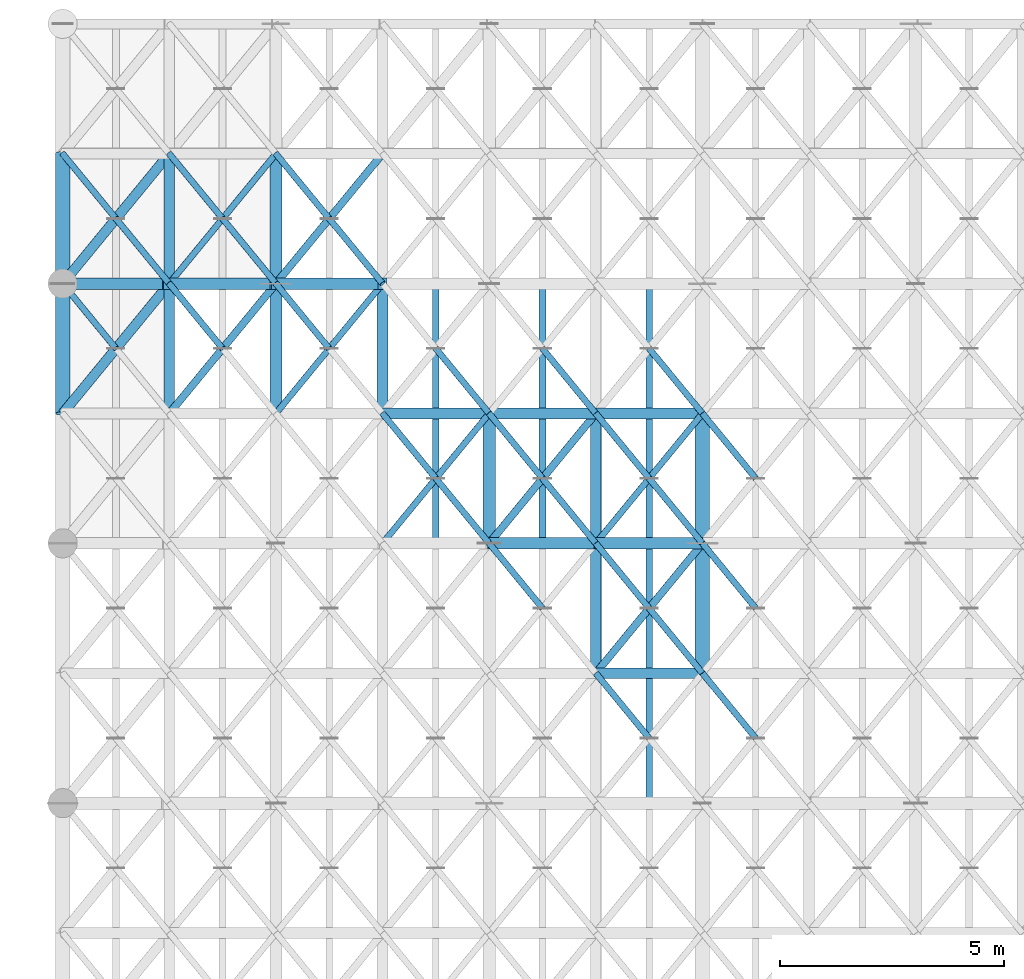
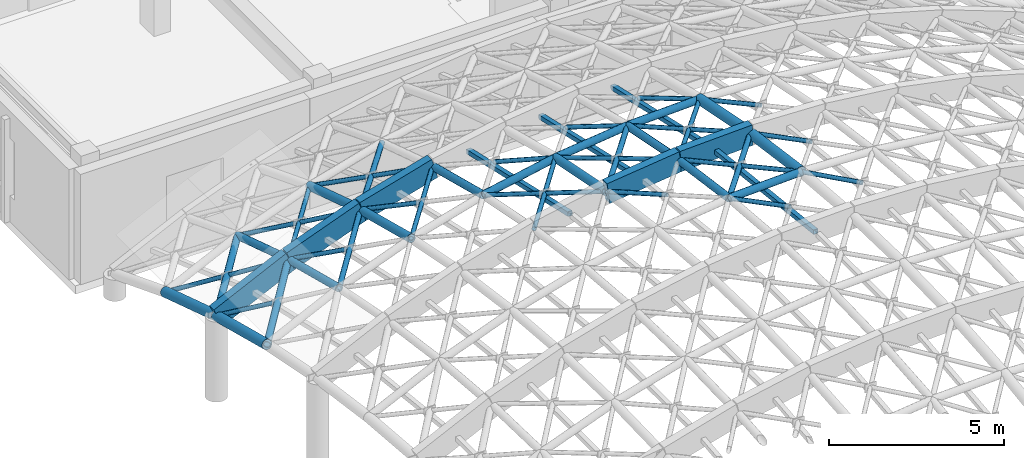
# One storey, part 69 of 146: 55 members, 5 beams.
"""IFC4 building model written with IfcOpenShell, lengths in metres."""

from ifc_helpers import new_model, si_unit, direction, frame, origin, origin_2d, place, context, subcontext, project, spatial, rectangle, hollow_rectangle, hollow_circle, extrude, material, material_profile, profile_set, type_object, element, save


model = new_model("IFC4")

# Units and contexts
model_context = context("Model", 3, precision=1e-05, world=origin(), true_north=direction((0.0, 1.0)))
body_context = subcontext(model_context, "Body", "Model", "MODEL_VIEW")
ifc_project = project(units=[si_unit("LENGTHUNIT", "METRE"), si_unit("AREAUNIT", "SQUARE_METRE"), si_unit("VOLUMEUNIT", "CUBIC_METRE"), si_unit("PLANEANGLEUNIT", "RADIAN"), si_unit("MASSUNIT", "GRAM", prefix="KILO")], contexts=[model_context])

# Site, building, storey
site_placement = place(None, origin())
site = spatial("IfcSite", under=ifc_project, at=site_placement, CompositionType="ELEMENT")
building_placement = place(site_placement, origin())
building = spatial("IfcBuilding", under=site, at=building_placement, Name="Valcora Specialist Clinic", CompositionType="ELEMENT")
storey_placement = place(building_placement, frame((0.0, 0.0, 9.52001953125)))
storey = spatial("IfcBuildingStorey", under=building, at=storey_placement, Name="L02", CompositionType="ELEMENT", Elevation=9.52001953125)

# Beams
ifc_material_1 = material(Name="Glulam Conifer Class 24F", Category="wood")
ifc_material_profile_1 = material_profile(ifc_material_1, rectangle(XDim=0.260009765625, YDim=0.719970703125, at=origin_2d()), Name="GL-ARC-260X720")
ifc_profile_set_1 = profile_set([ifc_material_profile_1], Name="Glulam Conifer Class 24F")
beam_type = type_object("IfcBeamType", Name="TY-AR-GL720", PredefinedType="JOIST", material=ifc_profile_set_1)
beam_1_placement = place(storey_placement, frame((10.25, 67.678955078125, 7.296142578125), z_axis=(0.993061123194, 0.0, 0.117599343536), x_axis=(0.0, 1.0, 0.0)))
element("IfcBeam", 1, at=beam_1_placement, inside=storey, type_object=beam_type, Name="Gridshell glulam arch chord BM-GSA-065", PredefinedType="JOIST", context=body_context, shape_type="SweptSolid", body=[
    extrude(rectangle(XDim=0.260009765625, YDim=0.719970703125, at=origin_2d()), origin(), (0.0, 0.0, 1.0), 2.3916015625),
])
beam_2_placement = place(storey_placement, frame((12.625, 67.678955078125, 7.577392578125), z_axis=(0.999229898969, 0.0, 0.039237851707), x_axis=(0.0, 1.0, 0.0)))
element("IfcBeam", 2, at=beam_2_placement, inside=storey, type_object=beam_type, Name="Gridshell glulam arch chord BM-GSA-066", PredefinedType="JOIST", context=body_context, shape_type="SweptSolid", body=[
    extrude(rectangle(XDim=0.260009765625, YDim=0.719970703125, at=origin_2d()), origin(), (0.0, 0.0, 1.0), 2.376708984375),
])
beam_3_placement = place(storey_placement, frame((0.75, 73.464111328125, 2.7900390625), z_axis=(0.902225234529, 0.0, 0.431265146028), x_axis=(0.0, 1.0, 0.0)))
element("IfcBeam", 3, at=beam_3_placement, inside=storey, type_object=beam_type, Name="Gridshell glulam arch chord BM-GSA-073", PredefinedType="JOIST", context=body_context, shape_type="SweptSolid", body=[
    extrude(rectangle(XDim=0.260009765625, YDim=0.719970703125, at=origin_2d()), origin(), (0.0, 0.0, 1.0), 2.63232421875),
])
beam_4_placement = place(storey_placement, frame((3.125, 73.464111328125, 3.92529296875), z_axis=(0.935663448479, 0.0, 0.352893625871), x_axis=(0.0, 1.0, 0.0)))
element("IfcBeam", 4, at=beam_4_placement, inside=storey, type_object=beam_type, Name="Gridshell glulam arch chord BM-GSA-074", PredefinedType="JOIST", context=body_context, shape_type="SweptSolid", body=[
    extrude(rectangle(XDim=0.260009765625, YDim=0.719970703125, at=origin_2d()), origin(), (0.0, 0.0, 1.0), 2.538330078125),
])
beam_5_placement = place(storey_placement, frame((5.5, 73.464111328125, 4.821044921875), z_axis=(0.961613421173, 0.0, 0.274407777259), x_axis=(0.0, 1.0, 0.0)))
element("IfcBeam", 5, at=beam_5_placement, inside=storey, type_object=beam_type, Name="Gridshell glulam arch chord BM-GSA-075", PredefinedType="JOIST", context=body_context, shape_type="SweptSolid", body=[
    extrude(rectangle(XDim=0.260009765625, YDim=0.719970703125, at=origin_2d()), origin(), (0.0, 0.0, 1.0), 2.4697265625),
])

# Members
ifc_material_2 = material(Name="Steel ASTM A500 Grade C", Category="steel")
ifc_material_profile_2 = material_profile(ifc_material_2, hollow_circle(Radius=0.1220703125, WallThickness=0.010009765625, at=origin_2d()), Name="ST-CHS-244X10")
ifc_profile_set_2 = profile_set([ifc_material_profile_2], Name="Steel ASTM A500 Grade C")
member_type_1 = type_object("IfcMemberType", Name="TY-MB-GSC244", PredefinedType="CHORD", material=ifc_profile_set_2)
member_1_placement = place(storey_placement, frame((3.125, 70.571044921875, 4.673583984375), z_axis=(0.0, 0.968140082086, -0.250409227983), x_axis=(-1.0, 0.0, 0.0)))
element("IfcMember", 6, at=member_1_placement, inside=storey, type_object=member_type_1, Name="Gridshell longitudinal chord MB-L02-0026", PredefinedType="CHORD", context=body_context, shape_type="SweptSolid", body=[
    extrude(hollow_circle(Radius=0.1220703125, WallThickness=0.010009765625, at=origin_2d()), origin(), (0.0, 0.0, 1.0), 2.98828125),
])
member_2_placement = place(storey_placement, frame((3.125, 73.464111328125, 3.92529296875), z_axis=(0.0, 0.95199595387, -0.30611060716), x_axis=(-1.0, 0.0, 0.0)))
element("IfcMember", 7, at=member_2_placement, inside=storey, type_object=member_type_1, Name="Gridshell longitudinal chord MB-L02-0027", PredefinedType="CHORD", context=body_context, shape_type="SweptSolid", body=[
    extrude(hollow_circle(Radius=0.1220703125, WallThickness=0.010009765625, at=origin_2d()), origin(), (0.0, 0.0, 1.0), 3.03857421875),
])
member_3_placement = place(storey_placement, frame((7.875, 70.571044921875, 6.2470703125), z_axis=(0.0, 0.968140082086, -0.250409227983), x_axis=(-1.0, 0.0, 0.0)))
element("IfcMember", 8, at=member_3_placement, inside=storey, type_object=member_type_1, Name="Gridshell longitudinal chord MB-L02-0054", PredefinedType="CHORD", context=body_context, shape_type="SweptSolid", body=[
    extrude(hollow_circle(Radius=0.1220703125, WallThickness=0.010009765625, at=origin_2d()), origin(), (0.0, 0.0, 1.0), 2.98828125),
])
member_4_placement = place(storey_placement, frame((12.625, 64.785888671875, 7.98388671875), z_axis=(0.0, 0.990272777431, -0.139139592778), x_axis=(-1.0, 0.0, 0.0)))
element("IfcMember", 9, at=member_4_placement, inside=storey, type_object=member_type_1, Name="Gridshell longitudinal chord MB-L02-0080", PredefinedType="CHORD", context=body_context, shape_type="SweptSolid", body=[
    extrude(hollow_circle(Radius=0.1220703125, WallThickness=0.010009765625, at=origin_2d()), origin(), (0.0, 0.0, 1.0), 2.92138671875),
])
member_5_placement = place(storey_placement, frame((12.625, 67.678955078125, 7.577392578125), z_axis=(0.0, 0.980853597768, -0.194746552587), x_axis=(-1.0, 0.0, 0.0)))
element("IfcMember", 10, at=member_5_placement, inside=storey, type_object=member_type_1, Name="Gridshell longitudinal chord MB-L02-0081", PredefinedType="CHORD", context=body_context, shape_type="SweptSolid", body=[
    extrude(hollow_circle(Radius=0.1220703125, WallThickness=0.010009765625, at=origin_2d()), origin(), (0.0, 0.0, 1.0), 2.948486328125),
])
member_6_placement = place(storey_placement, frame((12.625, 64.785888671875, 7.98388671875), z_axis=(0.999229898969, 0.0, 0.039237851707), x_axis=(0.0, 1.0, 0.0)))
element("IfcMember", 11, at=member_6_placement, inside=storey, type_object=member_type_1, Name="Gridshell secondary transverse chord MB-L02-0320", PredefinedType="CHORD", context=body_context, shape_type="SweptSolid", body=[
    extrude(hollow_circle(Radius=0.1220703125, WallThickness=0.010009765625, at=origin_2d()), origin(), (0.0, 0.0, 1.0), 2.376708984375),
])
member_7_placement = place(storey_placement, frame((7.875, 70.571044921875, 6.2470703125), z_axis=(0.980611679738, 0.0, 0.195961051132), x_axis=(0.0, 1.0, 0.0)))
element("IfcMember", 12, at=member_7_placement, inside=storey, type_object=member_type_1, Name="Gridshell secondary transverse chord MB-L02-0330", PredefinedType="CHORD", context=body_context, shape_type="SweptSolid", body=[
    extrude(hollow_circle(Radius=0.1220703125, WallThickness=0.010009765625, at=origin_2d()), origin(), (0.0, 0.0, 1.0), 2.421875),
])
member_8_placement = place(storey_placement, frame((10.25, 70.571044921875, 6.7216796875), z_axis=(0.993049196669, 0.0, 0.117700012722), x_axis=(0.0, 1.0, 0.0)))
element("IfcMember", 13, at=member_8_placement, inside=storey, type_object=member_type_1, Name="Gridshell secondary transverse chord MB-L02-0331", PredefinedType="CHORD", context=body_context, shape_type="SweptSolid", body=[
    extrude(hollow_circle(Radius=0.1220703125, WallThickness=0.010009765625, at=origin_2d()), origin(), (0.0, 0.0, 1.0), 2.3916015625),
])
member_9_placement = place(storey_placement, frame((12.625, 70.571044921875, 7.003173828125), z_axis=(0.999233921008, 0.0, 0.039135292342), x_axis=(0.0, 1.0, 0.0)))
element("IfcMember", 14, at=member_9_placement, inside=storey, type_object=member_type_1, Name="Gridshell secondary transverse chord MB-L02-0332", PredefinedType="CHORD", context=body_context, shape_type="SweptSolid", body=[
    extrude(hollow_circle(Radius=0.1220703125, WallThickness=0.010009765625, at=origin_2d()), origin(), (0.0, 0.0, 1.0), 2.376708984375),
])
ifc_material_profile_3 = material_profile(ifc_material_2, hollow_circle(Radius=0.136474609375, WallThickness=0.011962890625, at=origin_2d()), Name="ST-CHS-273X12")
ifc_profile_set_3 = profile_set([ifc_material_profile_3], Name="Steel ASTM A500 Grade C")
member_type_2 = type_object("IfcMemberType", Name="TY-MB-GSC273", PredefinedType="CHORD", material=ifc_profile_set_3)
member_10_placement = place(storey_placement, frame((5.5, 70.571044921875, 5.5693359375), z_axis=(0.0, 0.968140082086, -0.250409227983), x_axis=(-1.0, 0.0, 0.0)))
element("IfcMember", 15, at=member_10_placement, inside=storey, type_object=member_type_2, Name="Gridshell longitudinal chord MB-L02-0040", PredefinedType="CHORD", context=body_context, shape_type="SweptSolid", body=[
    extrude(hollow_circle(Radius=0.136474609375, WallThickness=0.011962890625, at=origin_2d()), origin(), (0.0, 0.0, 1.0), 2.98828125),
])
member_11_placement = place(storey_placement, frame((5.5, 73.464111328125, 4.821044921875), z_axis=(0.0, 0.951972538131, -0.306183419936), x_axis=(-1.0, 0.0, 0.0)))
element("IfcMember", 16, at=member_11_placement, inside=storey, type_object=member_type_2, Name="Gridshell longitudinal chord MB-L02-0041", PredefinedType="CHORD", context=body_context, shape_type="SweptSolid", body=[
    extrude(hollow_circle(Radius=0.136474609375, WallThickness=0.011962890625, at=origin_2d()), origin(), (0.0, 0.0, 1.0), 3.038818359375),
])
member_12_placement = place(storey_placement, frame((10.25, 67.678955078125, 7.296142578125), z_axis=(0.0, 0.980837778433, -0.194826210759), x_axis=(-1.0, 0.0, 0.0)))
element("IfcMember", 17, at=member_12_placement, inside=storey, type_object=member_type_2, Name="Gridshell longitudinal chord MB-L02-0067", PredefinedType="CHORD", context=body_context, shape_type="SweptSolid", body=[
    extrude(hollow_circle(Radius=0.136474609375, WallThickness=0.011962890625, at=origin_2d()), origin(), (0.0, 0.0, 1.0), 2.948486328125),
])
ifc_material_profile_4 = material_profile(ifc_material_2, hollow_circle(Radius=0.162109375, WallThickness=0.011962890625, at=origin_2d()), Name="ST-CHS-324X12")
ifc_profile_set_4 = profile_set([ifc_material_profile_4], Name="Steel ASTM A500 Grade C")
member_type_3 = type_object("IfcMemberType", Name="TY-MB-GSC324", PredefinedType="CHORD", material=ifc_profile_set_4)
member_13_placement = place(storey_placement, frame((0.75, 70.571044921875, 3.538330078125), z_axis=(0.0, 0.968140082086, -0.250409227983), x_axis=(-1.0, 0.0, 0.0)))
element("IfcMember", 18, at=member_13_placement, inside=storey, type_object=member_type_3, Name="Gridshell longitudinal chord MB-L02-0012", PredefinedType="CHORD", context=body_context, shape_type="SweptSolid", body=[
    extrude(hollow_circle(Radius=0.162109375, WallThickness=0.011962890625, at=origin_2d()), origin(), (0.0, 0.0, 1.0), 2.98828125),
])
member_14_placement = place(storey_placement, frame((0.75, 73.464111328125, 2.7900390625), z_axis=(0.0, 0.95199595387, -0.30611060716), x_axis=(-1.0, 0.0, 0.0)))
element("IfcMember", 19, at=member_14_placement, inside=storey, type_object=member_type_3, Name="Gridshell longitudinal chord MB-L02-0013", PredefinedType="CHORD", context=body_context, shape_type="SweptSolid", body=[
    extrude(hollow_circle(Radius=0.162109375, WallThickness=0.011962890625, at=origin_2d()), origin(), (0.0, 0.0, 1.0), 3.03857421875),
])
member_15_placement = place(storey_placement, frame((15.0, 64.785888671875, 8.0771484375), z_axis=(0.0, 0.990272777431, -0.139139592778), x_axis=(-1.0, 0.0, 0.0)))
element("IfcMember", 20, at=member_15_placement, inside=storey, type_object=member_type_3, Name="Gridshell longitudinal chord MB-L02-0094", PredefinedType="CHORD", context=body_context, shape_type="SweptSolid", body=[
    extrude(hollow_circle(Radius=0.162109375, WallThickness=0.011962890625, at=origin_2d()), origin(), (0.0, 0.0, 1.0), 2.92138671875),
])
member_16_placement = place(storey_placement, frame((15.0, 67.678955078125, 7.670654296875), z_axis=(0.0, 0.980837778433, -0.194826210759), x_axis=(-1.0, 0.0, 0.0)))
element("IfcMember", 21, at=member_16_placement, inside=storey, type_object=member_type_3, Name="Gridshell longitudinal chord MB-L02-0095", PredefinedType="CHORD", context=body_context, shape_type="SweptSolid", body=[
    extrude(hollow_circle(Radius=0.162109375, WallThickness=0.011962890625, at=origin_2d()), origin(), (0.0, 0.0, 1.0), 2.948486328125),
])
ifc_material_profile_5 = material_profile(ifc_material_2, hollow_circle(Radius=0.070068359375, WallThickness=0.006103515625, at=origin_2d()), Name="ST-CHS-140X6")
ifc_profile_set_5 = profile_set([ifc_material_profile_5], Name="Steel ASTM A500 Grade C")
member_type_4 = type_object("IfcMemberType", Name="TY-MB-GSD140", PredefinedType="BRACE", material=ifc_profile_set_5)
member_17_placement = place(storey_placement, frame((3.125, 73.464111328125, 3.92529296875), z_axis=(-0.555585835104, 0.676663340287, -0.483167780117), x_axis=(-0.772863356881, -0.634572479384, 0.0)))
element("IfcMember", 22, at=member_17_placement, inside=storey, type_object=member_type_4, Name="Gridshell split counter diagrid A MB-L02-0376", PredefinedType="BRACE", context=body_context, shape_type="SweptSolid", body=[
    extrude(hollow_circle(Radius=0.070068359375, WallThickness=0.006103515625, at=origin_2d()), origin(), (0.0, 0.0, 1.0), 2.137451171875),
])
member_18_placement = place(storey_placement, frame((3.125, 73.464111328125, 3.92529296875), z_axis=(0.634513270847, 0.772856470628, -0.009262015261), x_axis=(-0.772889622479, 0.634540488436, 0.0)))
element("IfcMember", 23, at=member_18_placement, inside=storey, type_object=member_type_4, Name="Gridshell primary diagrid MB-L02-0403", PredefinedType="BRACE", context=body_context, shape_type="SweptSolid", body=[
    extrude(hollow_circle(Radius=0.070068359375, WallThickness=0.006103515625, at=origin_2d()), origin(), (0.0, 0.0, 1.0), 3.742919921875),
])
member_19_placement = place(storey_placement, frame((5.5, 73.464111328125, 4.821044921875), z_axis=(-0.570305158701, 0.694590411214, -0.438515890942), x_axis=(-0.772863356881, -0.634572479384, 0.0)))
element("IfcMember", 24, at=member_19_placement, inside=storey, type_object=member_type_4, Name="Gridshell split counter diagrid A MB-L02-0404", PredefinedType="BRACE", context=body_context, shape_type="SweptSolid", body=[
    extrude(hollow_circle(Radius=0.070068359375, WallThickness=0.006103515625, at=origin_2d()), origin(), (0.0, 0.0, 1.0), 2.082275390625),
])
member_20_placement = place(storey_placement, frame((5.5, 70.571044921875, 5.5693359375), z_axis=(0.634395801893, 0.772778603252, -0.018846668046), x_axis=(-0.772915884105, 0.634508499626, 0.0)))
element("IfcMember", 25, at=member_20_placement, inside=storey, type_object=member_type_4, Name="Gridshell primary diagrid MB-L02-0429", PredefinedType="BRACE", context=body_context, shape_type="SweptSolid", body=[
    extrude(hollow_circle(Radius=0.070068359375, WallThickness=0.006103515625, at=origin_2d()), origin(), (0.0, 0.0, 1.0), 3.74365234375),
])
member_21_placement = place(storey_placement, frame((7.875, 73.464111328125, 5.498779296875), z_axis=(-0.583016032709, 0.71007133589, -0.394830347809), x_axis=(-0.772863356881, -0.634572479384, 0.0)))
element("IfcMember", 26, at=member_21_placement, inside=storey, type_object=member_type_4, Name="Gridshell split counter diagrid A MB-L02-0432", PredefinedType="BRACE", context=body_context, shape_type="SweptSolid", body=[
    extrude(hollow_circle(Radius=0.070068359375, WallThickness=0.006103515625, at=origin_2d()), origin(), (0.0, 0.0, 1.0), 2.036865234375),
])
member_22_placement = place(storey_placement, frame((7.875, 67.678955078125, 6.8212890625), z_axis=(0.634411775705, 0.772537201378, -0.026607730724), x_axis=(-0.772810813765, 0.634636467694, 0.0)))
element("IfcMember", 27, at=member_22_placement, inside=storey, type_object=member_type_4, Name="Gridshell primary diagrid MB-L02-0455", PredefinedType="BRACE", context=body_context, shape_type="SweptSolid", body=[
    extrude(hollow_circle(Radius=0.070068359375, WallThickness=0.006103515625, at=origin_2d()), origin(), (0.0, 0.0, 1.0), 3.74365234375),
])
member_23_placement = place(storey_placement, frame((10.25, 67.678955078125, 7.296142578125), z_axis=(-0.611069617421, 0.744112940786, -0.269981210493), x_axis=(-0.772810813765, -0.634636467694, 0.0)))
element("IfcMember", 28, at=member_23_placement, inside=storey, type_object=member_type_4, Name="Gridshell split counter diagrid A MB-L02-0456", PredefinedType="BRACE", context=body_context, shape_type="SweptSolid", body=[
    extrude(hollow_circle(Radius=0.070068359375, WallThickness=0.006103515625, at=origin_2d()), origin(), (0.0, 0.0, 1.0), 1.943359375),
])
member_24_placement = place(storey_placement, frame((10.25, 70.571044921875, 6.7216796875), z_axis=(-0.603146588177, 0.73471289781, -0.310501450821), x_axis=(-0.772915884105, -0.634508499626, 0.0)))
element("IfcMember", 29, at=member_24_placement, inside=storey, type_object=member_type_4, Name="Gridshell split counter diagrid A MB-L02-0458", PredefinedType="BRACE", context=body_context, shape_type="SweptSolid", body=[
    extrude(hollow_circle(Radius=0.070068359375, WallThickness=0.006103515625, at=origin_2d()), origin(), (0.0, 0.0, 1.0), 1.96875),
])
member_25_placement = place(storey_placement, frame((12.625, 67.678955078125, 7.577392578125), z_axis=(-0.618677673756, 0.753377438663, -0.222846069988), x_axis=(-0.772810813765, -0.634636467694, 0.0)))
element("IfcMember", 30, at=member_25_placement, inside=storey, type_object=member_type_4, Name="Gridshell split counter diagrid A MB-L02-0484", PredefinedType="BRACE", context=body_context, shape_type="SweptSolid", body=[
    extrude(hollow_circle(Radius=0.070068359375, WallThickness=0.006103515625, at=origin_2d()), origin(), (0.0, 0.0, 1.0), 1.91943359375),
])
member_26_placement = place(storey_placement, frame((12.625, 70.571044921875, 7.003173828125), z_axis=(-0.611777913095, 0.745227001457, -0.265263079506), x_axis=(-0.772915884105, -0.634508499626, 0.0)))
element("IfcMember", 31, at=member_26_placement, inside=storey, type_object=member_type_4, Name="Gridshell split counter diagrid A MB-L02-0486", PredefinedType="BRACE", context=body_context, shape_type="SweptSolid", body=[
    extrude(hollow_circle(Radius=0.070068359375, WallThickness=0.006103515625, at=origin_2d()), origin(), (0.0, 0.0, 1.0), 1.941162109375),
])
member_27_placement = place(storey_placement, frame((15.0, 64.785888671875, 8.0771484375), z_axis=(-0.628932887754, 0.766124046041, -0.132277620101), x_axis=(-0.772915884105, -0.634508499626, 0.0)))
element("IfcMember", 32, at=member_27_placement, inside=storey, type_object=member_type_4, Name="Gridshell split counter diagrid A MB-L02-0510", PredefinedType="BRACE", context=body_context, shape_type="SweptSolid", body=[
    extrude(hollow_circle(Radius=0.070068359375, WallThickness=0.006103515625, at=origin_2d()), origin(), (0.0, 0.0, 1.0), 1.88818359375),
])
member_28_placement = place(storey_placement, frame((12.625, 67.678955078125, 7.577392578125), z_axis=(0.629454124846, 0.766500160663, -0.127534342113), x_axis=(-0.772810813765, 0.634636467694, 0.0)))
element("IfcMember", 33, at=member_28_placement, inside=storey, type_object=member_type_4, Name="Gridshell primary diagrid MB-L02-0511", PredefinedType="BRACE", context=body_context, shape_type="SweptSolid", body=[
    extrude(hollow_circle(Radius=0.070068359375, WallThickness=0.006103515625, at=origin_2d()), origin(), (0.0, 0.0, 1.0), 3.773193359375),
])
member_29_placement = place(storey_placement, frame((15.0, 67.678955078125, 7.670654296875), z_axis=(-0.624776374395, 0.760803960844, -0.175589906209), x_axis=(-0.772810813765, -0.634636467694, 0.0)))
element("IfcMember", 34, at=member_29_placement, inside=storey, type_object=member_type_4, Name="Gridshell split counter diagrid A MB-L02-0512", PredefinedType="BRACE", context=body_context, shape_type="SweptSolid", body=[
    extrude(hollow_circle(Radius=0.070068359375, WallThickness=0.006103515625, at=origin_2d()), origin(), (0.0, 0.0, 1.0), 1.900634765625),
])
member_30_placement = place(storey_placement, frame((15.0, 70.571044921875, 7.09619140625), z_axis=(-0.619063790551, 0.75410217085, -0.219294184029), x_axis=(-0.772915884105, -0.634508499626, 0.0)))
element("IfcMember", 35, at=member_30_placement, inside=storey, type_object=member_type_4, Name="Gridshell split counter diagrid A MB-L02-0514", PredefinedType="BRACE", context=body_context, shape_type="SweptSolid", body=[
    extrude(hollow_circle(Radius=0.070068359375, WallThickness=0.006103515625, at=origin_2d()), origin(), (0.0, 0.0, 1.0), 1.918212890625),
])
member_31_placement = place(storey_placement, frame((1.9375, 72.017578125, 3.73193359375), z_axis=(-0.566777037933, 0.690409940327, -0.449553004183), x_axis=(-0.772915884105, -0.634508499626, 0.0)))
element("IfcMember", 36, at=member_31_placement, inside=storey, type_object=member_type_4, Name="Gridshell split counter diagrid B 12", PredefinedType="BRACE", context=body_context, shape_type="SweptSolid", body=[
    extrude(hollow_circle(Radius=0.070068359375, WallThickness=0.006103515625, at=origin_2d()), origin(), (0.0, 0.0, 1.0), 2.09521484375),
])
member_32_placement = place(storey_placement, frame((1.9375, 74.910400390625, 2.892578125), z_axis=(-0.555542894543, 0.676725257025, -0.483130436661), x_axis=(-0.772915884105, -0.634508499626, 0.0)))
element("IfcMember", 37, at=member_32_placement, inside=storey, type_object=member_type_4, Name="Gridshell split counter diagrid B 13", PredefinedType="BRACE", context=body_context, shape_type="SweptSolid", body=[
    extrude(hollow_circle(Radius=0.070068359375, WallThickness=0.006103515625, at=origin_2d()), origin(), (0.0, 0.0, 1.0), 2.137451171875),
])
member_33_placement = place(storey_placement, frame((4.3125, 72.017578125, 4.747314453125), z_axis=(-0.580941027046, 0.707663566046, -0.402144004536), x_axis=(-0.772915884105, -0.634508499626, 0.0)))
element("IfcMember", 38, at=member_33_placement, inside=storey, type_object=member_type_4, Name="Gridshell split counter diagrid B 26", PredefinedType="BRACE", context=body_context, shape_type="SweptSolid", body=[
    extrude(hollow_circle(Radius=0.070068359375, WallThickness=0.006103515625, at=origin_2d()), origin(), (0.0, 0.0, 1.0), 2.044189453125),
])
member_34_placement = place(storey_placement, frame((4.3125, 74.910400390625, 3.907958984375), z_axis=(-0.570288028335, 0.694686794384, -0.438385472439), x_axis=(-0.772915884105, -0.634508499626, 0.0)))
element("IfcMember", 39, at=member_34_placement, inside=storey, type_object=member_type_4, Name="Gridshell split counter diagrid B 27", PredefinedType="BRACE", context=body_context, shape_type="SweptSolid", body=[
    extrude(hollow_circle(Radius=0.070068359375, WallThickness=0.006103515625, at=origin_2d()), origin(), (0.0, 0.0, 1.0), 2.082275390625),
])
member_35_placement = place(storey_placement, frame((6.6875, 72.017578125, 5.533935546875), z_axis=(-0.592948016791, 0.722289679171, -0.355963858764), x_axis=(-0.772915884105, -0.634508499626, 0.0)))
element("IfcMember", 40, at=member_35_placement, inside=storey, type_object=member_type_4, Name="Gridshell split counter diagrid B 40", PredefinedType="BRACE", context=body_context, shape_type="SweptSolid", body=[
    extrude(hollow_circle(Radius=0.070068359375, WallThickness=0.006103515625, at=origin_2d()), origin(), (0.0, 0.0, 1.0), 2.002685546875),
])
member_36_placement = place(storey_placement, frame((6.6875, 74.910400390625, 4.694580078125), z_axis=(-0.582993995805, 0.710164355498, -0.394695565005), x_axis=(-0.772915884105, -0.634508499626, 0.0)))
element("IfcMember", 41, at=member_36_placement, inside=storey, type_object=member_type_4, Name="Gridshell split counter diagrid B 41", PredefinedType="BRACE", context=body_context, shape_type="SweptSolid", body=[
    extrude(hollow_circle(Radius=0.070068359375, WallThickness=0.006103515625, at=origin_2d()), origin(), (0.0, 0.0, 1.0), 2.036865234375),
])
member_37_placement = place(storey_placement, frame((9.0625, 69.125, 6.771484375), z_axis=(-0.611090339933, 0.744138175045, -0.26986473071), x_axis=(-0.772810813765, -0.634636467694, 0.0)))
element("IfcMember", 42, at=member_37_placement, inside=storey, type_object=member_type_4, Name="Gridshell split counter diagrid B 53", PredefinedType="BRACE", context=body_context, shape_type="SweptSolid", body=[
    extrude(hollow_circle(Radius=0.070068359375, WallThickness=0.006103515625, at=origin_2d()), origin(), (0.0, 0.0, 1.0), 1.943359375),
])
member_38_placement = place(storey_placement, frame((11.4375, 66.232421875, 7.639892578125), z_axis=(-0.624069031916, 0.76019922165, -0.180651561871), x_axis=(-0.772915884105, -0.634508499626, 0.0)))
element("IfcMember", 43, at=member_38_placement, inside=storey, type_object=member_type_4, Name="Gridshell split counter diagrid B 66", PredefinedType="BRACE", context=body_context, shape_type="SweptSolid", body=[
    extrude(hollow_circle(Radius=0.070068359375, WallThickness=0.006103515625, at=origin_2d()), origin(), (0.0, 0.0, 1.0), 1.90283203125),
])
member_39_placement = place(storey_placement, frame((11.4375, 69.125, 7.149658203125), z_axis=(-0.618660133103, 0.753356079023, -0.22296694353), x_axis=(-0.772810813765, -0.634636467694, 0.0)))
element("IfcMember", 44, at=member_39_placement, inside=storey, type_object=member_type_4, Name="Gridshell split counter diagrid B 67", PredefinedType="BRACE", context=body_context, shape_type="SweptSolid", body=[
    extrude(hollow_circle(Radius=0.070068359375, WallThickness=0.006103515625, at=origin_2d()), origin(), (0.0, 0.0, 1.0), 1.91943359375),
])
member_40_placement = place(storey_placement, frame((13.8125, 63.339599609375, 8.151611328125), z_axis=(-0.632038908562, 0.76977765097, -0.089270298146), x_axis=(-0.772863356881, -0.634572479384, 0.0)))
element("IfcMember", 45, at=member_40_placement, inside=storey, type_object=member_type_4, Name="Gridshell split counter diagrid B 79", PredefinedType="BRACE", context=body_context, shape_type="SweptSolid", body=[
    extrude(hollow_circle(Radius=0.070068359375, WallThickness=0.006103515625, at=origin_2d()), origin(), (0.0, 0.0, 1.0), 1.87890625),
])
member_41_placement = place(storey_placement, frame((13.8125, 66.232421875, 7.827392578125), z_axis=(-0.628922125519, 0.766110936204, -0.132404658004), x_axis=(-0.772915884105, -0.634508499626, 0.0)))
element("IfcMember", 46, at=member_41_placement, inside=storey, type_object=member_type_4, Name="Gridshell split counter diagrid B 80", PredefinedType="BRACE", context=body_context, shape_type="SweptSolid", body=[
    extrude(hollow_circle(Radius=0.070068359375, WallThickness=0.006103515625, at=origin_2d()), origin(), (0.0, 0.0, 1.0), 1.88818359375),
])
member_42_placement = place(storey_placement, frame((13.8125, 69.125, 7.3369140625), z_axis=(-0.624776374395, 0.760803960844, -0.175589906209), x_axis=(-0.772810813765, -0.634636467694, 0.0)))
element("IfcMember", 47, at=member_42_placement, inside=storey, type_object=member_type_4, Name="Gridshell split counter diagrid B 81", PredefinedType="BRACE", context=body_context, shape_type="SweptSolid", body=[
    extrude(hollow_circle(Radius=0.070068359375, WallThickness=0.006103515625, at=origin_2d()), origin(), (0.0, 0.0, 1.0), 1.900634765625),
])
member_43_placement = place(storey_placement, frame((16.1875, 63.339599609375, 8.151611328125), z_axis=(-0.634070702215, 0.772252228602, -0.039759778819), x_axis=(-0.772863356881, -0.634572479384, 0.0)))
element("IfcMember", 48, at=member_43_placement, inside=storey, type_object=member_type_4, Name="Gridshell split counter diagrid B 93", PredefinedType="BRACE", context=body_context, shape_type="SweptSolid", body=[
    extrude(hollow_circle(Radius=0.070068359375, WallThickness=0.006103515625, at=origin_2d()), origin(), (0.0, 0.0, 1.0), 1.872802734375),
])
member_44_placement = place(storey_placement, frame((16.1875, 66.232421875, 7.827392578125), z_axis=(-0.632294956399, 0.770219493558, -0.083456694492), x_axis=(-0.772915884105, -0.634508499626, 0.0)))
element("IfcMember", 49, at=member_44_placement, inside=storey, type_object=member_type_4, Name="Gridshell split counter diagrid B 94", PredefinedType="BRACE", context=body_context, shape_type="SweptSolid", body=[
    extrude(hollow_circle(Radius=0.070068359375, WallThickness=0.006103515625, at=origin_2d()), origin(), (0.0, 0.0, 1.0), 1.878173828125),
])
member_45_placement = place(storey_placement, frame((16.1875, 69.125, 7.3369140625), z_axis=(-0.629448929236, 0.766493833854, -0.12759799429), x_axis=(-0.772810813765, -0.634636467694, 0.0)))
element("IfcMember", 50, at=member_45_placement, inside=storey, type_object=member_type_4, Name="Gridshell split counter diagrid B 95", PredefinedType="BRACE", context=body_context, shape_type="SweptSolid", body=[
    extrude(hollow_circle(Radius=0.070068359375, WallThickness=0.006103515625, at=origin_2d()), origin(), (0.0, 0.0, 1.0), 1.886474609375),
])
ifc_material_profile_6 = material_profile(ifc_material_2, hollow_circle(Radius=0.083984375, WallThickness=0.008056640625, at=origin_2d()), Name="ST-CHS-168X8")
ifc_profile_set_6 = profile_set([ifc_material_profile_6], Name="Steel ASTM A500 Grade C")
member_type_5 = type_object("IfcMemberType", Name="TY-MB-GSD168", PredefinedType="BRACE", material=ifc_profile_set_6)
member_46_placement = place(storey_placement, frame((3.125, 70.571044921875, 4.673583984375), z_axis=(0.634016682193, 0.77231678495, 0.039365344988), x_axis=(-0.772915884105, 0.634508499626, 0.0)))
element("IfcMember", 51, at=member_46_placement, inside=storey, type_object=member_type_5, Name="Gridshell primary diagrid MB-L02-0401", PredefinedType="BRACE", context=body_context, shape_type="SweptSolid", body=[
    extrude(hollow_circle(Radius=0.083984375, WallThickness=0.008056640625, at=origin_2d()), origin(), (0.0, 0.0, 1.0), 3.745849609375),
])
member_47_placement = place(storey_placement, frame((5.5, 73.464111328125, 4.821044921875), z_axis=(0.633099368494, 0.771134294541, -0.067357920065), x_axis=(-0.772889622479, 0.634540488436, 0.0)))
element("IfcMember", 52, at=member_47_placement, inside=storey, type_object=member_type_5, Name="Gridshell primary diagrid MB-L02-0431", PredefinedType="BRACE", context=body_context, shape_type="SweptSolid", body=[
    extrude(hollow_circle(Radius=0.083984375, WallThickness=0.008056640625, at=origin_2d()), origin(), (0.0, 0.0, 1.0), 3.75146484375),
])
member_48_placement = place(storey_placement, frame((10.25, 67.678955078125, 7.296142578125), z_axis=(0.632700626183, 0.770453496892, -0.078046952243), x_axis=(-0.772810813765, 0.634636467694, 0.0)))
element("IfcMember", 53, at=member_48_placement, inside=storey, type_object=member_type_5, Name="Gridshell primary diagrid MB-L02-0483", PredefinedType="BRACE", context=body_context, shape_type="SweptSolid", body=[
    extrude(hollow_circle(Radius=0.083984375, WallThickness=0.008056640625, at=origin_2d()), origin(), (0.0, 0.0, 1.0), 3.753662109375),
])
member_49_placement = place(storey_placement, frame((12.625, 64.785888671875, 7.98388671875), z_axis=(0.632298384957, 0.770223669998, -0.08339214925), x_axis=(-0.772915884105, 0.634508499626, 0.0)))
element("IfcMember", 54, at=member_49_placement, inside=storey, type_object=member_type_5, Name="Gridshell primary diagrid MB-L02-0509", PredefinedType="BRACE", context=body_context, shape_type="SweptSolid", body=[
    extrude(hollow_circle(Radius=0.083984375, WallThickness=0.008056640625, at=origin_2d()), origin(), (0.0, 0.0, 1.0), 3.756103515625),
])
ifc_material_profile_7 = material_profile(ifc_material_2, hollow_circle(Radius=0.109619140625, WallThickness=0.010009765625, at=origin_2d()), Name="ST-CHS-219X10")
ifc_profile_set_7 = profile_set([ifc_material_profile_7], Name="Steel ASTM A500 Grade C")
member_type_6 = type_object("IfcMemberType", Name="TY-MB-GSD219", PredefinedType="BRACE", material=ifc_profile_set_7)
member_50_placement = place(storey_placement, frame((0.75, 70.571044921875, 3.538330078125), z_axis=(0.631144705092, 0.768818334225, 0.102833507152), x_axis=(-0.772915884105, 0.634508499626, 0.0)))
element("IfcMember", 55, at=member_50_placement, inside=storey, type_object=member_type_6, Name="Gridshell primary diagrid MB-L02-0373", PredefinedType="BRACE", context=body_context, shape_type="SweptSolid", body=[
    extrude(hollow_circle(Radius=0.109619140625, WallThickness=0.010009765625, at=origin_2d()), origin(), (0.0, 0.0, 1.0), 3.762939453125),
])
member_51_placement = place(storey_placement, frame((0.75, 73.464111328125, 2.7900390625), z_axis=(0.633590139805, 0.77173206893, 0.054709674901), x_axis=(-0.772889622479, 0.634540488436, 0.0)))
element("IfcMember", 56, at=member_51_placement, inside=storey, type_object=member_type_6, Name="Gridshell primary diagrid MB-L02-0375", PredefinedType="BRACE", context=body_context, shape_type="SweptSolid", body=[
    extrude(hollow_circle(Radius=0.109619140625, WallThickness=0.010009765625, at=origin_2d()), origin(), (0.0, 0.0, 1.0), 3.74853515625),
])
ifc_material_profile_8 = material_profile(ifc_material_2, hollow_rectangle(XDim=0.14990234375, YDim=0.14990234375, WallThickness=0.006103515625, at=origin_2d()), Name="ST-RHS-150X150X6")
ifc_profile_set_8 = profile_set([ifc_material_profile_8], Name="Steel ASTM A500 Grade C")
member_type_7 = type_object("IfcMemberType", Name="TY-MB-PR150", PredefinedType="PURLIN", material=ifc_profile_set_8)
for number, where, z_axis, x_axis, name in (
    (57, (9.06201171875, 67.678955078125, 6.938720703125), (0.0, 0.974842673844, -0.22289405836), (-1.0, 0.0, 0.0), "Gridshell secondary purlin MB-L02-0209"),
    (58, (11.43798828125, 67.678955078125, 7.31689453125), (0.0, 0.974842673844, -0.22289405836), (-1.0, 0.0, 0.0), "Gridshell secondary purlin MB-L02-0216"),
):
    element("IfcMember", number, at=place(storey_placement, frame(where, z_axis=z_axis, x_axis=x_axis)), inside=storey, type_object=member_type_7, Name=name, PredefinedType="PURLIN", context=body_context, shape_type="SweptSolid", body=[
        extrude(hollow_rectangle(XDim=0.14990234375, YDim=0.14990234375, WallThickness=0.006103515625, at=origin_2d()), origin(), (0.0, 0.0, 1.0), 5.9345703125),
    ])
member_52_placement = place(storey_placement, frame((13.81201171875, 61.89306640625, 8.15283203125), z_axis=(0.0, 0.993769167561, -0.111457801906), x_axis=(-1.0, 0.0, 0.0)))
element("IfcMember", 59, at=member_52_placement, inside=storey, type_object=member_type_7, Name="Gridshell secondary purlin MB-L02-0222", PredefinedType="PURLIN", context=body_context, shape_type="SweptSolid", body=[
    extrude(hollow_rectangle(XDim=0.14990234375, YDim=0.14990234375, WallThickness=0.006103515625, at=origin_2d()), origin(), (0.0, 0.0, 1.0), 5.822265625),
])
member_53_placement = place(storey_placement, frame((13.81201171875, 67.678955078125, 7.50390625), z_axis=(0.0, 0.974851612216, -0.222854962161), x_axis=(-1.0, 0.0, 0.0)))
element("IfcMember", 60, at=member_53_placement, inside=storey, type_object=member_type_7, Name="Gridshell secondary purlin MB-L02-0223", PredefinedType="PURLIN", context=body_context, shape_type="SweptSolid", body=[
    extrude(hollow_rectangle(XDim=0.14990234375, YDim=0.14990234375, WallThickness=0.006103515625, at=origin_2d()), origin(), (0.0, 0.0, 1.0), 5.934326171875),
])

save(model, "model.ifc")
